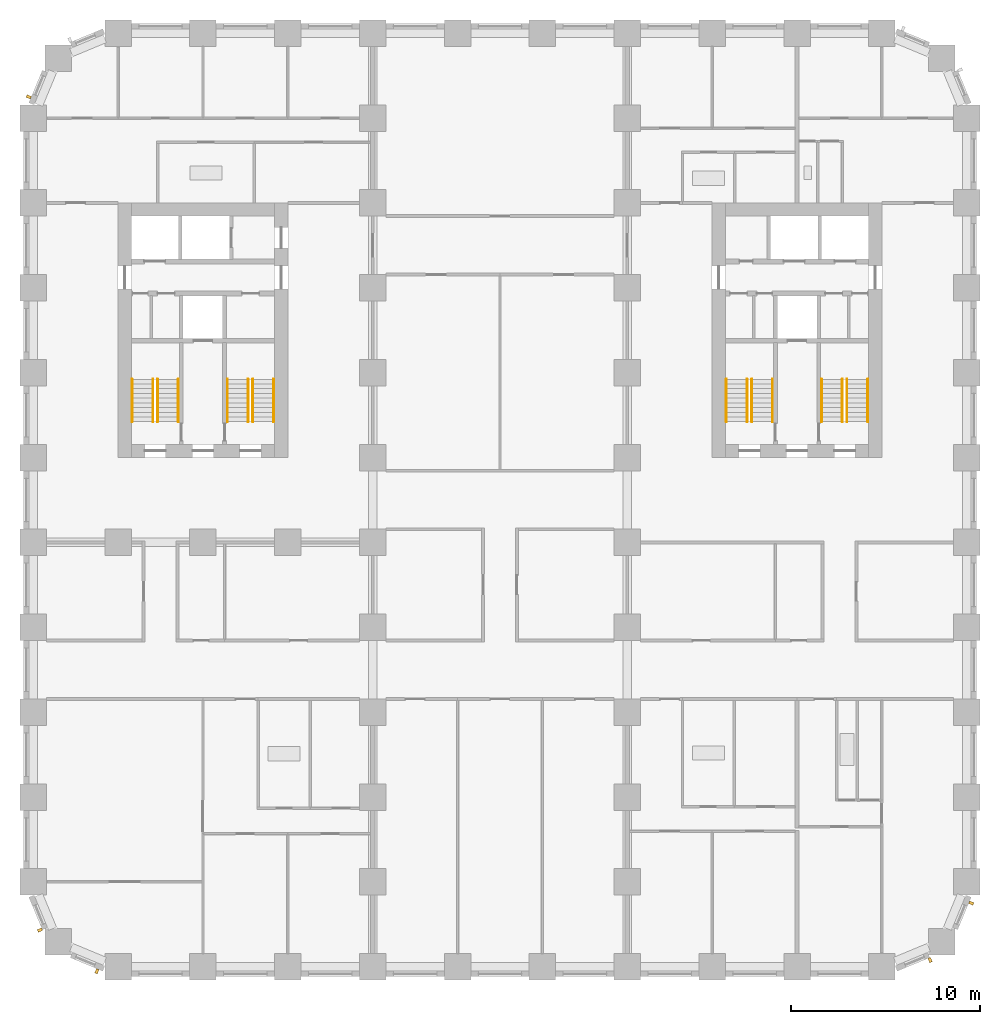
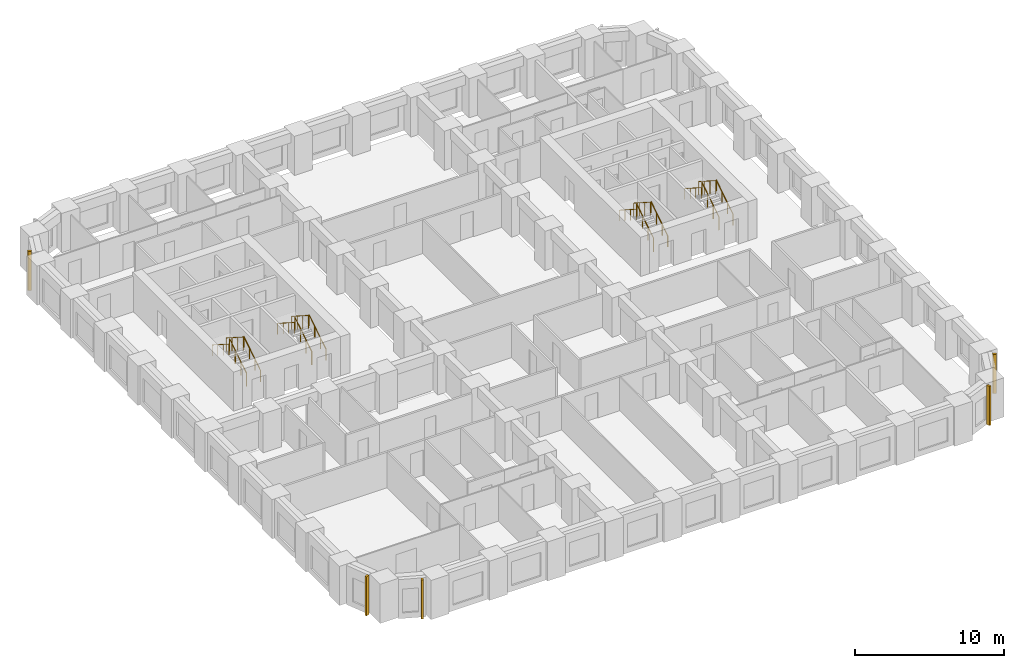
# One storey, part 10 of 12: 16 railings, 5 shading devices.
"""IFC4 building model written with IfcOpenShell, lengths in metres."""

from ifc_helpers import new_model, si_unit, direction, frame, origin, origin_2d, place, context, subcontext, project, spatial, rectangle, circle, extrude, material, type_object, element, save


model = new_model("IFC4")

# Units and contexts
model_context = context("Model", 3, precision=1e-05, world=origin(), true_north=direction((0.0, 1.0)))
body_context = subcontext(model_context, "Body", "Model", "MODEL_VIEW")
ifc_project = project(units=[si_unit("LENGTHUNIT", "METRE"), si_unit("AREAUNIT", "SQUARE_METRE"), si_unit("VOLUMEUNIT", "CUBIC_METRE"), si_unit("PLANEANGLEUNIT", "RADIAN"), si_unit("MASSUNIT", "GRAM", prefix="KILO")], contexts=[model_context])

# Site, building, storey
site_placement = place(None, origin())
site = spatial("IfcSite", under=ifc_project, at=site_placement, CompositionType="ELEMENT")
building_placement = place(site_placement, origin())
building = spatial("IfcBuilding", under=site, at=building_placement, Name="Girih Gate Residences", CompositionType="ELEMENT")
storey_placement = place(building_placement, frame((0.0, 0.0, 30.39990234375)))
storey = spatial("IfcBuildingStorey", under=building, at=storey_placement, Name="L06", CompositionType="ELEMENT", Elevation=30.39990234375)

# Shading devices
ifc_material_1 = material(Name="Precast concrete C50/60", Category="concrete")
shading_device_type = type_object("IfcShadingDeviceType", Name="Corner rib 150x250", PredefinedType="USERDEFINED", material=ifc_material_1)
for number, where, z_axis, x_axis, name in (
    (1, (0.35498046875, 1.9443359375, 0.0), (0.0, 0.0, 1.0), (0.382683432365, -0.923879532511, 0.0), "Corner rib SW0000_0045.0"),
    (2, (3.376220703125, -0.238037109375, 0.0), (0.0, 0.0, 1.0), (0.923879532511, -0.382683432365, 0.0), "Corner rib SW0013_0013.0"),
    (3, (47.5556640625, 0.35498046875, 0.0), (0.0, 0.0, 1.0), (0.923879532511, 0.382683432365, 0.0), "Corner rib SE0450_0000.0"),
    (4, (49.738037109375, 3.376220703125, 0.0), (0.0, 0.0, 1.0), (0.382683432365, 0.923879532511, 0.0), "Corner rib SE0482_0013.0"),
    (5, (-0.238037109375, 46.123779296875, 0.0), (0.0, 0.0, 1.0), (-0.382683432365, -0.923879532511, 0.0), "Corner rib NW0013_0482.0"),
):
    element("IfcShadingDevice", number, at=place(storey_placement, frame(where, z_axis=z_axis, x_axis=x_axis)), inside=storey, type_object=shading_device_type, Name=name, ObjectType="FIN", PredefinedType="USERDEFINED", context=body_context, shape_type="SweptSolid", body=[
        extrude(rectangle(XDim=0.14990234375, YDim=0.25, at=origin_2d()), origin(), (0.0, 0.0, 1.0), 3.199951171875),
    ])

# Railings
ifc_material_2 = material(Name="Stainless steel", Category="steel")
railing_type_1 = type_object("IfcRailingType", Name="Stair guard 1100", PredefinedType="GUARDRAIL", material=ifc_material_2)
railing_1_placement = place(storey_placement, frame((6.60009765625, 28.89990234375, 0.16015625)))
element("IfcRailing", 6, at=railing_1_placement, inside=storey, type_object=railing_type_1, Name="L06 ST-W1 stair guard 1", PredefinedType="GUARDRAIL", context=body_context, shape_type="SweptSolid", body=[
    extrude(circle(Radius=0.02392578125, at=origin_2d()), frame((0.0, 0.0, 1.076171875), z_axis=(0.0, 0.842281359387, 0.539038135598), x_axis=(-1.0, 0.0, 0.0)), (0.0, 0.0, 1.0), 2.67138671875),
    extrude(circle(Radius=0.02099609375, at=origin_2d()), origin(), (0.0, 0.0, 1.0), 1.052001953125),
    extrude(circle(Radius=0.02099609375, at=origin_2d()), frame((0.0, 0.75, 0.47998046875)), (0.0, 0.0, 1.0), 1.052001953125),
    extrude(circle(Radius=0.02099609375, at=origin_2d()), frame((0.0, 1.5, 0.9599609375)), (0.0, 0.0, 1.0), 1.052001953125),
    extrude(circle(Radius=0.02099609375, at=origin_2d()), frame((0.0, 2.25, 1.43994140625)), (0.0, 0.0, 1.0), 1.052001953125),
])
railing_2_placement = place(storey_placement, frame((6.35009765625, 31.14990234375, 1.760009765625)))
element("IfcRailing", 7, at=railing_2_placement, inside=storey, type_object=railing_type_1, Name="L06 ST-W1 stair guard 2", PredefinedType="GUARDRAIL", context=body_context, shape_type="SweptSolid", body=[
    extrude(circle(Radius=0.02392578125, at=origin_2d()), frame((0.0, 0.0, 1.076171875), z_axis=(0.0, -0.842239864353, 0.539102968731), x_axis=(1.0, 0.0, 0.0)), (0.0, 0.0, 1.0), 2.67138671875),
    extrude(circle(Radius=0.02099609375, at=origin_2d()), origin(), (0.0, 0.0, 1.0), 1.052001953125),
    extrude(circle(Radius=0.02099609375, at=origin_2d()), frame((0.0, -0.75, 0.47998046875)), (0.0, 0.0, 1.0), 1.052001953125),
    extrude(circle(Radius=0.02099609375, at=origin_2d()), frame((0.0, -1.5, 0.960205078125)), (0.0, 0.0, 1.0), 1.052001953125),
    extrude(circle(Radius=0.02099609375, at=origin_2d()), frame((0.0, -2.25, 1.440185546875)), (0.0, 0.0, 1.0), 1.052001953125),
])
railing_3_placement = place(storey_placement, frame((11.64990234375, 28.89990234375, 0.16015625)))
element("IfcRailing", 8, at=railing_3_placement, inside=storey, type_object=railing_type_1, Name="L06 ST-W2 stair guard 1", PredefinedType="GUARDRAIL", context=body_context, shape_type="SweptSolid", body=[
    extrude(circle(Radius=0.02392578125, at=origin_2d()), frame((0.0, 0.0, 1.076171875), z_axis=(0.0, 0.842281359387, 0.539038135598), x_axis=(-1.0, 0.0, 0.0)), (0.0, 0.0, 1.0), 2.67138671875),
    extrude(circle(Radius=0.02099609375, at=origin_2d()), origin(), (0.0, 0.0, 1.0), 1.052001953125),
    extrude(circle(Radius=0.02099609375, at=origin_2d()), frame((0.0, 0.75, 0.47998046875)), (0.0, 0.0, 1.0), 1.052001953125),
    extrude(circle(Radius=0.02099609375, at=origin_2d()), frame((0.0, 1.5, 0.9599609375)), (0.0, 0.0, 1.0), 1.052001953125),
    extrude(circle(Radius=0.02099609375, at=origin_2d()), frame((0.0, 2.25, 1.43994140625)), (0.0, 0.0, 1.0), 1.052001953125),
])
railing_4_placement = place(storey_placement, frame((11.39990234375, 31.14990234375, 1.760009765625)))
element("IfcRailing", 9, at=railing_4_placement, inside=storey, type_object=railing_type_1, Name="L06 ST-W2 stair guard 2", PredefinedType="GUARDRAIL", context=body_context, shape_type="SweptSolid", body=[
    extrude(circle(Radius=0.02392578125, at=origin_2d()), frame((0.0, 0.0, 1.076171875), z_axis=(0.0, -0.842239864353, 0.539102968731), x_axis=(1.0, 0.0, 0.0)), (0.0, 0.0, 1.0), 2.67138671875),
    extrude(circle(Radius=0.02099609375, at=origin_2d()), origin(), (0.0, 0.0, 1.0), 1.052001953125),
    extrude(circle(Radius=0.02099609375, at=origin_2d()), frame((0.0, -0.75, 0.47998046875)), (0.0, 0.0, 1.0), 1.052001953125),
    extrude(circle(Radius=0.02099609375, at=origin_2d()), frame((0.0, -1.5, 0.960205078125)), (0.0, 0.0, 1.0), 1.052001953125),
    extrude(circle(Radius=0.02099609375, at=origin_2d()), frame((0.0, -2.25, 1.440185546875)), (0.0, 0.0, 1.0), 1.052001953125),
])
railing_5_placement = place(storey_placement, frame((43.14990234375, 28.89990234375, 0.16015625)))
element("IfcRailing", 10, at=railing_5_placement, inside=storey, type_object=railing_type_1, Name="L06 ST-E1 stair guard 1", PredefinedType="GUARDRAIL", context=body_context, shape_type="SweptSolid", body=[
    extrude(circle(Radius=0.02392578125, at=origin_2d()), frame((0.0, 0.0, 1.076171875), z_axis=(0.0, 0.842281359387, 0.539038135598), x_axis=(-1.0, 0.0, 0.0)), (0.0, 0.0, 1.0), 2.67138671875),
    extrude(circle(Radius=0.02099609375, at=origin_2d()), origin(), (0.0, 0.0, 1.0), 1.052001953125),
    extrude(circle(Radius=0.02099609375, at=origin_2d()), frame((0.0, 0.75, 0.47998046875)), (0.0, 0.0, 1.0), 1.052001953125),
    extrude(circle(Radius=0.02099609375, at=origin_2d()), frame((0.0, 1.5, 0.9599609375)), (0.0, 0.0, 1.0), 1.052001953125),
    extrude(circle(Radius=0.02099609375, at=origin_2d()), frame((0.0, 2.25, 1.43994140625)), (0.0, 0.0, 1.0), 1.052001953125),
])
railing_6_placement = place(storey_placement, frame((42.89990234375, 31.14990234375, 1.760009765625)))
element("IfcRailing", 11, at=railing_6_placement, inside=storey, type_object=railing_type_1, Name="L06 ST-E1 stair guard 2", PredefinedType="GUARDRAIL", context=body_context, shape_type="SweptSolid", body=[
    extrude(circle(Radius=0.02392578125, at=origin_2d()), frame((0.0, 0.0, 1.076171875), z_axis=(0.0, -0.842239864353, 0.539102968731), x_axis=(1.0, 0.0, 0.0)), (0.0, 0.0, 1.0), 2.67138671875),
    extrude(circle(Radius=0.02099609375, at=origin_2d()), origin(), (0.0, 0.0, 1.0), 1.052001953125),
    extrude(circle(Radius=0.02099609375, at=origin_2d()), frame((0.0, -0.75, 0.47998046875)), (0.0, 0.0, 1.0), 1.052001953125),
    extrude(circle(Radius=0.02099609375, at=origin_2d()), frame((0.0, -1.5, 0.960205078125)), (0.0, 0.0, 1.0), 1.052001953125),
    extrude(circle(Radius=0.02099609375, at=origin_2d()), frame((0.0, -2.25, 1.440185546875)), (0.0, 0.0, 1.0), 1.052001953125),
])
railing_7_placement = place(storey_placement, frame((38.10009765625, 28.89990234375, 0.16015625)))
element("IfcRailing", 12, at=railing_7_placement, inside=storey, type_object=railing_type_1, Name="L06 ST-E2 stair guard 1", PredefinedType="GUARDRAIL", context=body_context, shape_type="SweptSolid", body=[
    extrude(circle(Radius=0.02392578125, at=origin_2d()), frame((0.0, 0.0, 1.076171875), z_axis=(0.0, 0.842281359387, 0.539038135598), x_axis=(-1.0, 0.0, 0.0)), (0.0, 0.0, 1.0), 2.67138671875),
    extrude(circle(Radius=0.02099609375, at=origin_2d()), origin(), (0.0, 0.0, 1.0), 1.052001953125),
    extrude(circle(Radius=0.02099609375, at=origin_2d()), frame((0.0, 0.75, 0.47998046875)), (0.0, 0.0, 1.0), 1.052001953125),
    extrude(circle(Radius=0.02099609375, at=origin_2d()), frame((0.0, 1.5, 0.9599609375)), (0.0, 0.0, 1.0), 1.052001953125),
    extrude(circle(Radius=0.02099609375, at=origin_2d()), frame((0.0, 2.25, 1.43994140625)), (0.0, 0.0, 1.0), 1.052001953125),
])
railing_8_placement = place(storey_placement, frame((37.85009765625, 31.14990234375, 1.760009765625)))
element("IfcRailing", 13, at=railing_8_placement, inside=storey, type_object=railing_type_1, Name="L06 ST-E2 stair guard 2", PredefinedType="GUARDRAIL", context=body_context, shape_type="SweptSolid", body=[
    extrude(circle(Radius=0.02392578125, at=origin_2d()), frame((0.0, 0.0, 1.076171875), z_axis=(0.0, -0.842239864353, 0.539102968731), x_axis=(1.0, 0.0, 0.0)), (0.0, 0.0, 1.0), 2.67138671875),
    extrude(circle(Radius=0.02099609375, at=origin_2d()), origin(), (0.0, 0.0, 1.0), 1.052001953125),
    extrude(circle(Radius=0.02099609375, at=origin_2d()), frame((0.0, -0.75, 0.47998046875)), (0.0, 0.0, 1.0), 1.052001953125),
    extrude(circle(Radius=0.02099609375, at=origin_2d()), frame((0.0, -1.5, 0.960205078125)), (0.0, 0.0, 1.0), 1.052001953125),
    extrude(circle(Radius=0.02099609375, at=origin_2d()), frame((0.0, -2.25, 1.440185546875)), (0.0, 0.0, 1.0), 1.052001953125),
])
railing_type_2 = type_object("IfcRailingType", Name="Stair handrail 900", PredefinedType="HANDRAIL", material=ifc_material_2)
railing_9_placement = place(storey_placement, frame((7.699951171875, 28.89990234375, 0.16015625)))
element("IfcRailing", 14, at=railing_9_placement, inside=storey, type_object=railing_type_2, Name="L06 ST-W1 stair handrail 1", PredefinedType="HANDRAIL", context=body_context, shape_type="SweptSolid", body=[
    extrude(circle(Radius=0.02392578125, at=origin_2d()), frame((0.0, 0.0, 0.8857421875), z_axis=(0.0, 0.842281359387, 0.539038135598), x_axis=(-1.0, 0.0, 0.0)), (0.0, 0.0, 1.0), 2.67138671875),
    extrude(circle(Radius=0.02099609375, at=origin_2d()), origin(), (0.0, 0.0, 1.0), 0.86181640625),
    extrude(circle(Radius=0.02099609375, at=origin_2d()), frame((0.0, 0.75, 0.47998046875)), (0.0, 0.0, 1.0), 0.86181640625),
    extrude(circle(Radius=0.02099609375, at=origin_2d()), frame((0.0, 1.5, 0.9599609375)), (0.0, 0.0, 1.0), 0.86181640625),
    extrude(circle(Radius=0.02099609375, at=origin_2d()), frame((0.0, 2.25, 1.43994140625)), (0.0, 0.0, 1.0), 0.86181640625),
])
railing_10_placement = place(storey_placement, frame((5.25, 31.14990234375, 1.760009765625)))
element("IfcRailing", 15, at=railing_10_placement, inside=storey, type_object=railing_type_2, Name="L06 ST-W1 stair handrail 2", PredefinedType="HANDRAIL", context=body_context, shape_type="SweptSolid", body=[
    extrude(circle(Radius=0.02392578125, at=origin_2d()), frame((0.0, 0.0, 0.8857421875), z_axis=(0.0, -0.842239864353, 0.539102968731), x_axis=(1.0, 0.0, 0.0)), (0.0, 0.0, 1.0), 2.67138671875),
    extrude(circle(Radius=0.02099609375, at=origin_2d()), origin(), (0.0, 0.0, 1.0), 0.86181640625),
    extrude(circle(Radius=0.02099609375, at=origin_2d()), frame((0.0, -0.75, 0.47998046875)), (0.0, 0.0, 1.0), 0.86181640625),
    extrude(circle(Radius=0.02099609375, at=origin_2d()), frame((0.0, -1.5, 0.960205078125)), (0.0, 0.0, 1.0), 0.86181640625),
    extrude(circle(Radius=0.02099609375, at=origin_2d()), frame((0.0, -2.25, 1.440185546875)), (0.0, 0.0, 1.0), 0.86181640625),
])
railing_11_placement = place(storey_placement, frame((12.75, 28.89990234375, 0.16015625)))
element("IfcRailing", 16, at=railing_11_placement, inside=storey, type_object=railing_type_2, Name="L06 ST-W2 stair handrail 1", PredefinedType="HANDRAIL", context=body_context, shape_type="SweptSolid", body=[
    extrude(circle(Radius=0.02392578125, at=origin_2d()), frame((0.0, 0.0, 0.8857421875), z_axis=(0.0, 0.842281359387, 0.539038135598), x_axis=(-1.0, 0.0, 0.0)), (0.0, 0.0, 1.0), 2.67138671875),
    extrude(circle(Radius=0.02099609375, at=origin_2d()), origin(), (0.0, 0.0, 1.0), 0.86181640625),
    extrude(circle(Radius=0.02099609375, at=origin_2d()), frame((0.0, 0.75, 0.47998046875)), (0.0, 0.0, 1.0), 0.86181640625),
    extrude(circle(Radius=0.02099609375, at=origin_2d()), frame((0.0, 1.5, 0.9599609375)), (0.0, 0.0, 1.0), 0.86181640625),
    extrude(circle(Radius=0.02099609375, at=origin_2d()), frame((0.0, 2.25, 1.43994140625)), (0.0, 0.0, 1.0), 0.86181640625),
])
railing_12_placement = place(storey_placement, frame((10.300048828125, 31.14990234375, 1.760009765625)))
element("IfcRailing", 17, at=railing_12_placement, inside=storey, type_object=railing_type_2, Name="L06 ST-W2 stair handrail 2", PredefinedType="HANDRAIL", context=body_context, shape_type="SweptSolid", body=[
    extrude(circle(Radius=0.02392578125, at=origin_2d()), frame((0.0, 0.0, 0.8857421875), z_axis=(0.0, -0.842239864353, 0.539102968731), x_axis=(1.0, 0.0, 0.0)), (0.0, 0.0, 1.0), 2.67138671875),
    extrude(circle(Radius=0.02099609375, at=origin_2d()), origin(), (0.0, 0.0, 1.0), 0.86181640625),
    extrude(circle(Radius=0.02099609375, at=origin_2d()), frame((0.0, -0.75, 0.47998046875)), (0.0, 0.0, 1.0), 0.86181640625),
    extrude(circle(Radius=0.02099609375, at=origin_2d()), frame((0.0, -1.5, 0.960205078125)), (0.0, 0.0, 1.0), 0.86181640625),
    extrude(circle(Radius=0.02099609375, at=origin_2d()), frame((0.0, -2.25, 1.440185546875)), (0.0, 0.0, 1.0), 0.86181640625),
])
railing_13_placement = place(storey_placement, frame((44.25, 28.89990234375, 0.16015625)))
element("IfcRailing", 18, at=railing_13_placement, inside=storey, type_object=railing_type_2, Name="L06 ST-E1 stair handrail 1", PredefinedType="HANDRAIL", context=body_context, shape_type="SweptSolid", body=[
    extrude(circle(Radius=0.02392578125, at=origin_2d()), frame((0.0, 0.0, 0.8857421875), z_axis=(0.0, 0.842281359387, 0.539038135598), x_axis=(-1.0, 0.0, 0.0)), (0.0, 0.0, 1.0), 2.67138671875),
    extrude(circle(Radius=0.02099609375, at=origin_2d()), origin(), (0.0, 0.0, 1.0), 0.86181640625),
    extrude(circle(Radius=0.02099609375, at=origin_2d()), frame((0.0, 0.75, 0.47998046875)), (0.0, 0.0, 1.0), 0.86181640625),
    extrude(circle(Radius=0.02099609375, at=origin_2d()), frame((0.0, 1.5, 0.9599609375)), (0.0, 0.0, 1.0), 0.86181640625),
    extrude(circle(Radius=0.02099609375, at=origin_2d()), frame((0.0, 2.25, 1.43994140625)), (0.0, 0.0, 1.0), 0.86181640625),
])
railing_14_placement = place(storey_placement, frame((41.800048828125, 31.14990234375, 1.760009765625)))
element("IfcRailing", 19, at=railing_14_placement, inside=storey, type_object=railing_type_2, Name="L06 ST-E1 stair handrail 2", PredefinedType="HANDRAIL", context=body_context, shape_type="SweptSolid", body=[
    extrude(circle(Radius=0.02392578125, at=origin_2d()), frame((0.0, 0.0, 0.8857421875), z_axis=(0.0, -0.842239864353, 0.539102968731), x_axis=(1.0, 0.0, 0.0)), (0.0, 0.0, 1.0), 2.67138671875),
    extrude(circle(Radius=0.02099609375, at=origin_2d()), origin(), (0.0, 0.0, 1.0), 0.86181640625),
    extrude(circle(Radius=0.02099609375, at=origin_2d()), frame((0.0, -0.75, 0.47998046875)), (0.0, 0.0, 1.0), 0.86181640625),
    extrude(circle(Radius=0.02099609375, at=origin_2d()), frame((0.0, -1.5, 0.960205078125)), (0.0, 0.0, 1.0), 0.86181640625),
    extrude(circle(Radius=0.02099609375, at=origin_2d()), frame((0.0, -2.25, 1.440185546875)), (0.0, 0.0, 1.0), 0.86181640625),
])
railing_15_placement = place(storey_placement, frame((39.199951171875, 28.89990234375, 0.16015625)))
element("IfcRailing", 20, at=railing_15_placement, inside=storey, type_object=railing_type_2, Name="L06 ST-E2 stair handrail 1", PredefinedType="HANDRAIL", context=body_context, shape_type="SweptSolid", body=[
    extrude(circle(Radius=0.02392578125, at=origin_2d()), frame((0.0, 0.0, 0.8857421875), z_axis=(0.0, 0.842281359387, 0.539038135598), x_axis=(-1.0, 0.0, 0.0)), (0.0, 0.0, 1.0), 2.67138671875),
    extrude(circle(Radius=0.02099609375, at=origin_2d()), origin(), (0.0, 0.0, 1.0), 0.86181640625),
    extrude(circle(Radius=0.02099609375, at=origin_2d()), frame((0.0, 0.75, 0.47998046875)), (0.0, 0.0, 1.0), 0.86181640625),
    extrude(circle(Radius=0.02099609375, at=origin_2d()), frame((0.0, 1.5, 0.9599609375)), (0.0, 0.0, 1.0), 0.86181640625),
    extrude(circle(Radius=0.02099609375, at=origin_2d()), frame((0.0, 2.25, 1.43994140625)), (0.0, 0.0, 1.0), 0.86181640625),
])
railing_16_placement = place(storey_placement, frame((36.75, 31.14990234375, 1.760009765625)))
element("IfcRailing", 21, at=railing_16_placement, inside=storey, type_object=railing_type_2, Name="L06 ST-E2 stair handrail 2", PredefinedType="HANDRAIL", context=body_context, shape_type="SweptSolid", body=[
    extrude(circle(Radius=0.02392578125, at=origin_2d()), frame((0.0, 0.0, 0.8857421875), z_axis=(0.0, -0.842239864353, 0.539102968731), x_axis=(1.0, 0.0, 0.0)), (0.0, 0.0, 1.0), 2.67138671875),
    extrude(circle(Radius=0.02099609375, at=origin_2d()), origin(), (0.0, 0.0, 1.0), 0.86181640625),
    extrude(circle(Radius=0.02099609375, at=origin_2d()), frame((0.0, -0.75, 0.47998046875)), (0.0, 0.0, 1.0), 0.86181640625),
    extrude(circle(Radius=0.02099609375, at=origin_2d()), frame((0.0, -1.5, 0.960205078125)), (0.0, 0.0, 1.0), 0.86181640625),
    extrude(circle(Radius=0.02099609375, at=origin_2d()), frame((0.0, -2.25, 1.440185546875)), (0.0, 0.0, 1.0), 0.86181640625),
])

save(model, "model.ifc")
